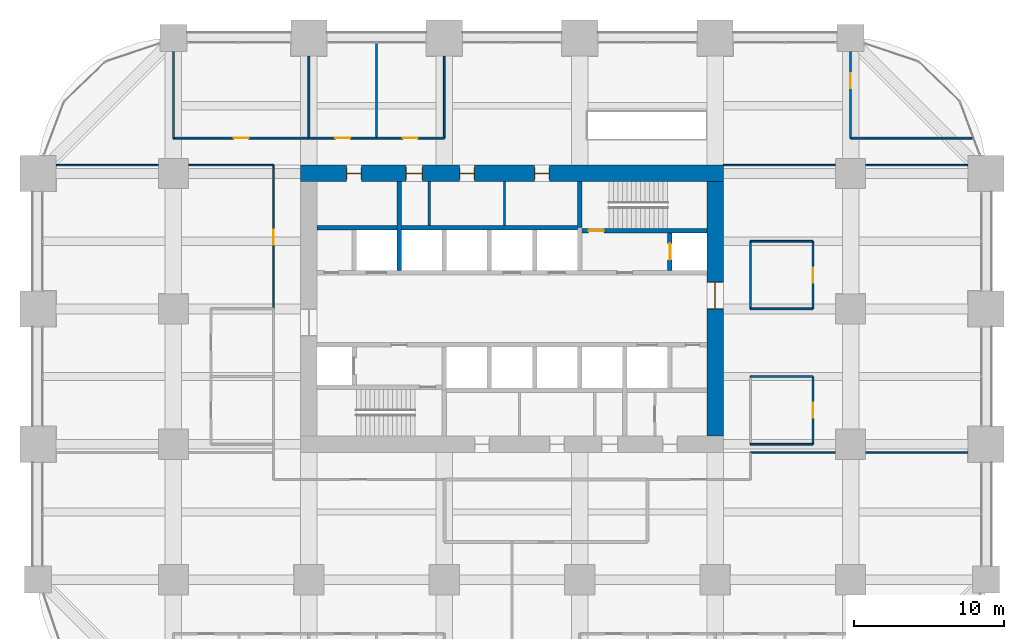
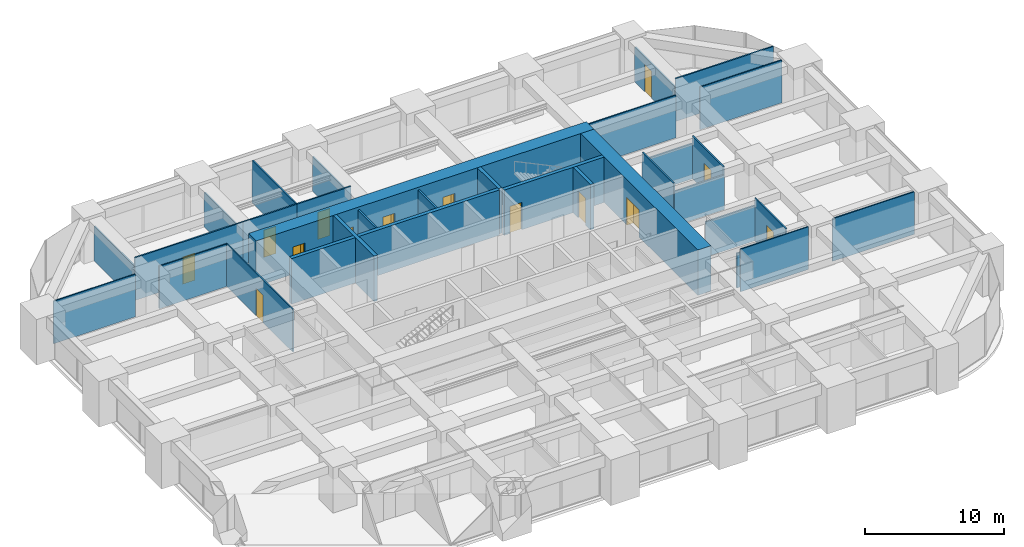
# One storey, part 38 of 41: 32 walls, 14 doors, 14 openings.
"""IFC4 building model written with IfcOpenShell, lengths in metres."""

import ifcopenshell
import ifcopenshell.guid

model = None  # the IFC model being written
_history = None  # IfcOwnerHistory: only IFC2X3 demands one
_inside = {}  # id of a spatial element -> (the spatial element, [elements in it])
_under = {}  # id of a project, library or spatial element -> (it, [spatial elements below it])
_declared = {}  # id of a project -> (the project, [libraries it declares])
_typed = {}  # id of a type object -> (the type object, [elements of that type])
_made_of = {}  # id of a material, layer set ... -> (it, [elements and type objects made of it])


def new_model(schema):
    """Start an empty IFC model of exactly this schema.

    Asked for "IFC4X3", IfcOpenShell would pick the latest addendum, in which some entities
    have other attributes; the version numbers below select the first issue.
    IFC2X3 requires an IfcOwnerHistory on every rooted entity: one is made here for all.
    """
    global model, _history
    if schema == "IFC4X3":
        model = ifcopenshell.file(schema_version=(4, 3, 0, 0))
    else:
        model = ifcopenshell.file(schema=schema)
    _inside.clear()
    _under.clear()
    _declared.clear()
    _typed.clear()
    _made_of.clear()
    _history = None
    if model.schema == "IFC2X3":
        org = make("IfcOrganization", Name="unknown")
        user = make(
            "IfcPersonAndOrganization",
            ThePerson=make("IfcPerson", FamilyName="unknown"),
            TheOrganization=org,
        )
        app = make(
            "IfcApplication",
            ApplicationDeveloper=org,
            Version="unknown",
            ApplicationFullName="unknown",
            ApplicationIdentifier="unknown",
        )
        _history = make(
            "IfcOwnerHistory",
            OwningUser=user,
            OwningApplication=app,
            ChangeAction="ADDED",
            CreationDate=0,
        )
    return model


def make(cls, **values):
    """One entity of the class cls with the attributes given. An attribute that is None is left unset."""
    return model.create_entity(
        cls, **{name: value for name, value in values.items() if value is not None}
    )


def rooted(cls, **values):
    """An entity with a GlobalId (a new one), such as an element, a storey or a relation."""
    return make(cls, GlobalId=ifcopenshell.guid.new(), OwnerHistory=_history, **values)


def si_unit(unit_type, name, prefix=None):
    """IfcSIUnit, for example si_unit("LENGTHUNIT", "METRE", prefix="MILLI")."""
    return make("IfcSIUnit", UnitType=unit_type, Prefix=prefix, Name=name)


def assignment(units):
    """IfcUnitAssignment: the units of a project."""
    return None if units is None else make("IfcUnitAssignment", Units=units)


def point(xyz):
    """IfcCartesianPoint."""
    return None if xyz is None else make("IfcCartesianPoint", Coordinates=xyz)


def direction(xyz):
    """IfcDirection."""
    return None if xyz is None else make("IfcDirection", DirectionRatios=xyz)


def frame(location, z_axis=None, x_axis=None):
    """IfcAxis2Placement3D, a coordinate frame: its origin and axes. An axis left out is left unset."""
    return make(
        "IfcAxis2Placement3D",
        Location=point(location),
        Axis=direction(z_axis),
        RefDirection=direction(x_axis),
    )


def frame_2d(location, x_axis=None):
    """IfcAxis2Placement2D, a coordinate frame in the plane: its origin and x axis."""
    return make(
        "IfcAxis2Placement2D", Location=point(location), RefDirection=direction(x_axis)
    )


def origin():
    """The frame at (0, 0, 0) with its axes left unset."""
    return frame((0.0, 0.0, 0.0))


def place(relative_to, where):
    """IfcLocalPlacement: puts the frame where relative to a parent placement (None: the world)."""
    return make(
        "IfcLocalPlacement", PlacementRelTo=relative_to, RelativePlacement=where
    )


def context(
    kind, dimensions, precision=None, world=None, true_north=None, identifier=None
):
    """IfcGeometricRepresentationContext, for example the 3D "Model" context."""
    return make(
        "IfcGeometricRepresentationContext",
        ContextIdentifier=identifier,
        ContextType=kind,
        CoordinateSpaceDimension=dimensions,
        Precision=precision,
        WorldCoordinateSystem=world,
        TrueNorth=true_north,
    )


def subcontext(parent, identifier, kind, view, scale=None):
    """IfcGeometricRepresentationSubContext, for example "Body" below "Model"."""
    return make(
        "IfcGeometricRepresentationSubContext",
        ContextIdentifier=identifier,
        ContextType=kind,
        ParentContext=parent,
        TargetScale=scale,
        TargetView=view,
    )


def project(units=None, contexts=None):
    """IfcProject with its units and contexts."""
    return rooted(
        "IfcProject",
        Name="project",
        RepresentationContexts=contexts,
        UnitsInContext=assignment(units),
    )


def spatial(cls, under=None, at=None, **own):
    """A site, building, storey or space (cls), placed at a placement, below another one or the project."""
    s = rooted(cls, ObjectPlacement=at, **own)
    if under is not None:
        _under.setdefault(under.id(), (under, []))[1].append(s)
    return s


def profile(cls, at=None, kind="AREA", **sizes):
    """A parametric profile (cls). Its sizes go by their IFC names, for example OverallWidth=200.0."""
    return make(cls, ProfileType=kind, Position=at, **sizes)


def rectangle(**sizes):
    """IfcRectangleProfileDef."""
    return profile("IfcRectangleProfileDef", **sizes)


def extrude(swept, where, along, depth):
    """IfcExtrudedAreaSolid: the profile swept, set in the frame where, extruded along a direction by depth."""
    return make(
        "IfcExtrudedAreaSolid",
        SweptArea=swept,
        Position=where,
        ExtrudedDirection=direction(along),
        Depth=depth,
    )


def shape(context_of_items, identifier, shape_type, items):
    """IfcShapeRepresentation: the items that make up one representation, for example the "Body"."""
    return make(
        "IfcShapeRepresentation",
        ContextOfItems=context_of_items,
        RepresentationIdentifier=identifier,
        RepresentationType=shape_type,
        Items=items,
    )


def material(Name=None, Category=None):
    """IfcMaterial."""
    return make("IfcMaterial", Name=Name, Category=Category)


def layer(
    of_material, thickness, ventilated=None, Name=None, Category=None, Priority=None
):
    """IfcMaterialLayer: one layer of a wall or slab, of a material (None: an air gap)."""
    return make(
        "IfcMaterialLayer",
        Material=of_material,
        LayerThickness=thickness,
        IsVentilated=ventilated,
        Name=Name,
        Category=Category,
        Priority=Priority,
    )


def layer_set(layers, Name=None):
    """IfcMaterialLayerSet."""
    return make("IfcMaterialLayerSet", MaterialLayers=layers, LayerSetName=Name)


def made_of(thing, what):
    """Note that an element or type object is made of a material, layer set ...; save() writes the relation."""
    if what is not None:
        _made_of.setdefault(what.id(), (what, []))[1].append(thing)
    return thing


def type_object(cls, material=None, **own):
    """A type object (cls), such as IfcWallType, which elements share."""
    return made_of(rooted(cls, **own), material)


def element(
    cls,
    number,
    at=None,
    inside=None,
    cuts=None,
    type_object=None,
    material=None,
    context=None,
    identifier="Body",
    shape_type=None,
    held_by="IfcProductDefinitionShape",
    body=None,
    shapes=None,
    **own,
):
    """One element of the class cls, such as IfcWall. Its Tag is "e" and its number.

    at: its placement. inside: the storey or other place that contains it. cuts: it is an
    opening in that element (IfcRelVoidsElement). A single representation is given by context,
    identifier, shape_type and body (its items); several are given by shapes. held_by: the class
    of the entity that holds the representations. save() writes the other relations.
    """
    e = rooted(cls, Tag="e%d" % number, ObjectPlacement=at, **own)
    if body is not None:
        shapes = [shape(context, identifier, shape_type, body)]
    if shapes is not None:
        e.Representation = make(held_by, Representations=shapes)
    if inside is not None:
        _inside.setdefault(inside.id(), (inside, []))[1].append(e)
    if cuts is not None:
        rooted(
            "IfcRelVoidsElement", RelatingBuildingElement=cuts, RelatedOpeningElement=e
        )
    if type_object is not None:
        _typed.setdefault(type_object.id(), (type_object, []))[1].append(e)
    return made_of(e, material)


def fill(opening, filler):
    """IfcRelFillsElement: the door or window that sits in an opening."""
    return rooted(
        "IfcRelFillsElement",
        RelatingOpeningElement=opening,
        RelatedBuildingElement=filler,
    )


def aggregate(whole, parts):
    """IfcRelAggregates: a whole, such as a stair, and the parts it consists of."""
    return rooted("IfcRelAggregates", RelatingObject=whole, RelatedObjects=parts)


def save(model, path):
    """Write the relations noted so far, then the file.

    IfcRelAggregates (storeys below a building ...), IfcRelContainedInSpatialStructure (elements
    in a storey), IfcRelDefinesByType, IfcRelAssociatesMaterial and IfcRelDeclares: one each for
    every whole, place, type object, material and project.
    """
    for whole, parts in _under.values():
        aggregate(whole, parts)
    for where, things in _inside.values():
        rooted(
            "IfcRelContainedInSpatialStructure",
            RelatedElements=things,
            RelatingStructure=where,
        )
    for kind, things in _typed.values():
        rooted("IfcRelDefinesByType", RelatedObjects=things, RelatingType=kind)
    for what, things in _made_of.values():
        rooted("IfcRelAssociatesMaterial", RelatedObjects=things, RelatingMaterial=what)
    for by, libraries in _declared.values():
        rooted("IfcRelDeclares", RelatingContext=by, RelatedDefinitions=libraries)
    model.write(path)


model = new_model("IFC4")

# Units and contexts
model_context = context("Model", 3, precision=1e-05, world=origin(), true_north=direction((0.0, 1.0)))
body_context = subcontext(model_context, "Body", "Model", "MODEL_VIEW")
ifc_project = project(units=[si_unit("LENGTHUNIT", "METRE"), si_unit("AREAUNIT", "SQUARE_METRE"), si_unit("VOLUMEUNIT", "CUBIC_METRE"), si_unit("PLANEANGLEUNIT", "RADIAN"), si_unit("MASSUNIT", "GRAM", prefix="KILO")], contexts=[model_context])

# Site, building, storey
site_placement = place(None, origin())
site = spatial("IfcSite", under=ifc_project, at=site_placement, CompositionType="ELEMENT")
building_placement = place(site_placement, origin())
building = spatial("IfcBuilding", under=site, at=building_placement, Name="Zorevar Civic Tower", CompositionType="ELEMENT")
storey_placement = place(building_placement, frame((0.0, 0.0, 101.0)))
storey = spatial("IfcBuildingStorey", under=building, at=storey_placement, Name="L24", CompositionType="ELEMENT", Elevation=101.0)

# Wall, openings, doors
ifc_material_1 = material(Name="Concrete C50/60", Category="concrete")
ifc_layer_1 = layer(ifc_material_1, 1.10009765625)
ifc_layer_set_1 = layer_set([ifc_layer_1], Name="Core wall 1100")
wall_type_1 = type_object("IfcWallType", Name="Core wall 1100", PredefinedType="SHEAR", material=ifc_layer_set_1)
wall_1_placement = place(storey_placement, frame((45.550048828125, 36.0, 0.0), z_axis=(0.0, 0.0, 1.0), x_axis=(-1.0, 0.0, 0.0)))
wall_1 = element("IfcWall", 1, at=wall_1_placement, inside=storey, type_object=wall_type_1, Name="Core wall N L24", PredefinedType="SHEAR", context=body_context, shape_type="SweptSolid", body=[
    extrude(rectangle(XDim=28.10009765625, YDim=1.10009765625, at=frame_2d((14.050048828125, 0.0))), origin(), (0.0, 0.0, 1.0), 4.0),
])
opening_1_placement = place(wall_1_placement, frame((11.550048828125, 0.0, 0.0)))
opening_1 = element("IfcOpeningElement", 2, at=opening_1_placement, cuts=wall_1, Name="Opening L24.07", PredefinedType="OPENING", context=body_context, shape_type="SweptSolid", body=[
    extrude(rectangle(XDim=1.0, YDim=2.39990234375, at=frame_2d((0.5, 1.199951171875))), frame((0.0, 0.56005859375, 0.0), z_axis=(0.0, -1.0, 0.0), x_axis=(1.0, 0.0, 0.0)), (0.0, 0.0, 1.0), 1.1201171875),
])
opening_2_placement = place(wall_1_placement, frame((16.550048828125, 0.0, 0.0)))
opening_2 = element("IfcOpeningElement", 3, at=opening_2_placement, cuts=wall_1, Name="Opening L24.08", PredefinedType="OPENING", context=body_context, shape_type="SweptSolid", body=[
    extrude(rectangle(XDim=1.0, YDim=2.39990234375, at=frame_2d((0.5, 1.199951171875))), frame((0.0, 0.56005859375, 0.0), z_axis=(0.0, -1.0, 0.0), x_axis=(1.0, 0.0, 0.0)), (0.0, 0.0, 1.0), 1.1201171875),
])
opening_3_placement = place(wall_1_placement, frame((20.0, 0.0, 0.0)))
opening_3 = element("IfcOpeningElement", 4, at=opening_3_placement, cuts=wall_1, Name="Opening L24.09", PredefinedType="OPENING", context=body_context, shape_type="SweptSolid", body=[
    extrude(rectangle(XDim=1.10009765625, YDim=2.39990234375, at=frame_2d((0.550048828125, 1.199951171875))), frame((0.0, 0.56005859375, 0.0), z_axis=(0.0, -1.0, 0.0), x_axis=(1.0, 0.0, 0.0)), (0.0, 0.0, 1.0), 1.1201171875),
])
opening_4_placement = place(wall_1_placement, frame((24.050048828125, 0.0, 0.0)))
opening_4 = element("IfcOpeningElement", 5, at=opening_4_placement, cuts=wall_1, Name="Opening L24.10", PredefinedType="OPENING", context=body_context, shape_type="SweptSolid", body=[
    extrude(rectangle(XDim=1.0, YDim=2.39990234375, at=frame_2d((0.5, 1.199951171875))), frame((0.0, 0.56005859375, 0.0), z_axis=(0.0, -1.0, 0.0), x_axis=(1.0, 0.0, 0.0)), (0.0, 0.0, 1.0), 1.1201171875),
])
ifc_material_2 = material(Name="Timber door set", Category="wood")
door_type_1 = type_object("IfcDoorType", Name="Door D1 1000x2400", OperationType="SINGLE_SWING_LEFT", PredefinedType="DOOR", material=ifc_material_2)
door_1_placement = place(opening_1_placement, origin())
door_1 = element("IfcDoor", 6, at=door_1_placement, inside=storey, type_object=door_type_1, Name="Door L24 06", OperationType="SINGLE_SWING_LEFT", OverallHeight=2.39990234375, OverallWidth=1.0, PredefinedType="DOOR", context=body_context, shape_type="SweptSolid", body=[
    extrude(rectangle(XDim=1.0, YDim=2.39990234375, at=frame_2d((0.5, 1.199951171875))), frame((0.0, 0.02490234375, 0.0), z_axis=(0.0, -1.0, 0.0), x_axis=(1.0, 0.0, 0.0)), (0.0, 0.0, 1.0), 0.050048828125),
    extrude(rectangle(XDim=0.04, YDim=2.39990234375, at=frame_2d((0.02001953125, 1.199951171875))), frame((0.0, 0.39990234375, 0.0), z_axis=(0.0, -1.0, 0.0), x_axis=(1.0, 0.0, 0.0)), (0.0, 0.0, 1.0), 0.800048828125),
    extrude(rectangle(XDim=0.04, YDim=2.39990234375, at=frame_2d((0.97998046875, 1.199951171875))), frame((0.0, 0.39990234375, 0.0), z_axis=(0.0, -1.0, 0.0), x_axis=(1.0, 0.0, 0.0)), (0.0, 0.0, 1.0), 0.800048828125),
    extrude(rectangle(XDim=1.0, YDim=0.04, at=frame_2d((0.5, 2.3798828125))), frame((0.0, 0.39990234375, 0.0), z_axis=(0.0, -1.0, 0.0), x_axis=(1.0, 0.0, 0.0)), (0.0, 0.0, 1.0), 0.800048828125),
])
fill(opening_1, door_1)
door_2_placement = place(opening_2_placement, origin())
door_2 = element("IfcDoor", 7, at=door_2_placement, inside=storey, type_object=door_type_1, Name="Door L24 07", OperationType="SINGLE_SWING_RIGHT", OverallHeight=2.39990234375, OverallWidth=1.0, PredefinedType="DOOR", context=body_context, shape_type="SweptSolid", body=[
    extrude(rectangle(XDim=1.0, YDim=2.39990234375, at=frame_2d((0.5, 1.199951171875))), frame((0.0, 0.02490234375, 0.0), z_axis=(0.0, -1.0, 0.0), x_axis=(1.0, 0.0, 0.0)), (0.0, 0.0, 1.0), 0.050048828125),
    extrude(rectangle(XDim=0.04, YDim=2.39990234375, at=frame_2d((0.02001953125, 1.199951171875))), frame((0.0, 0.39990234375, 0.0), z_axis=(0.0, -1.0, 0.0), x_axis=(1.0, 0.0, 0.0)), (0.0, 0.0, 1.0), 0.800048828125),
    extrude(rectangle(XDim=0.04, YDim=2.39990234375, at=frame_2d((0.97998046875, 1.199951171875))), frame((0.0, 0.39990234375, 0.0), z_axis=(0.0, -1.0, 0.0), x_axis=(1.0, 0.0, 0.0)), (0.0, 0.0, 1.0), 0.800048828125),
    extrude(rectangle(XDim=1.0, YDim=0.04, at=frame_2d((0.5, 2.3798828125))), frame((0.0, 0.39990234375, 0.0), z_axis=(0.0, -1.0, 0.0), x_axis=(1.0, 0.0, 0.0)), (0.0, 0.0, 1.0), 0.800048828125),
])
fill(opening_2, door_2)
door_3_placement = place(opening_4_placement, origin())
door_3 = element("IfcDoor", 8, at=door_3_placement, inside=storey, type_object=door_type_1, Name="Door L24 09", OperationType="SINGLE_SWING_RIGHT", OverallHeight=2.39990234375, OverallWidth=1.0, PredefinedType="DOOR", context=body_context, shape_type="SweptSolid", body=[
    extrude(rectangle(XDim=1.0, YDim=2.39990234375, at=frame_2d((0.5, 1.199951171875))), frame((0.0, 0.02490234375, 0.0), z_axis=(0.0, -1.0, 0.0), x_axis=(1.0, 0.0, 0.0)), (0.0, 0.0, 1.0), 0.050048828125),
    extrude(rectangle(XDim=0.04, YDim=2.39990234375, at=frame_2d((0.02001953125, 1.199951171875))), frame((0.0, 0.39990234375, 0.0), z_axis=(0.0, -1.0, 0.0), x_axis=(1.0, 0.0, 0.0)), (0.0, 0.0, 1.0), 0.800048828125),
    extrude(rectangle(XDim=0.04, YDim=2.39990234375, at=frame_2d((0.97998046875, 1.199951171875))), frame((0.0, 0.39990234375, 0.0), z_axis=(0.0, -1.0, 0.0), x_axis=(1.0, 0.0, 0.0)), (0.0, 0.0, 1.0), 0.800048828125),
    extrude(rectangle(XDim=1.0, YDim=0.04, at=frame_2d((0.5, 2.3798828125))), frame((0.0, 0.39990234375, 0.0), z_axis=(0.0, -1.0, 0.0), x_axis=(1.0, 0.0, 0.0)), (0.0, 0.0, 1.0), 0.800048828125),
])
fill(opening_4, door_3)
ifc_material_3 = material(Name="Timber door set", Category="wood")
door_type_2 = type_object("IfcDoorType", Name="Door D5 1100x2400", OperationType="SINGLE_SWING_LEFT", PredefinedType="DOOR", material=ifc_material_3)
door_4_placement = place(opening_3_placement, origin())
door_4 = element("IfcDoor", 9, at=door_4_placement, inside=storey, type_object=door_type_2, Name="Door L24 08", OperationType="SINGLE_SWING_RIGHT", OverallHeight=2.39990234375, OverallWidth=1.10009765625, PredefinedType="DOOR", context=body_context, shape_type="SweptSolid", body=[
    extrude(rectangle(XDim=1.10009765625, YDim=2.39990234375, at=frame_2d((0.550048828125, 1.199951171875))), frame((0.0, 0.02490234375, 0.0), z_axis=(0.0, -1.0, 0.0), x_axis=(1.0, 0.0, 0.0)), (0.0, 0.0, 1.0), 0.050048828125),
    extrude(rectangle(XDim=0.04, YDim=2.39990234375, at=frame_2d((0.02001953125, 1.199951171875))), frame((0.0, 0.43994140625, 0.0), z_axis=(0.0, -1.0, 0.0), x_axis=(1.0, 0.0, 0.0)), (0.0, 0.0, 1.0), 0.880126953125),
    extrude(rectangle(XDim=0.04, YDim=2.39990234375, at=frame_2d((1.080078125, 1.199951171875))), frame((0.0, 0.43994140625, 0.0), z_axis=(0.0, -1.0, 0.0), x_axis=(1.0, 0.0, 0.0)), (0.0, 0.0, 1.0), 0.880126953125),
    extrude(rectangle(XDim=1.10009765625, YDim=0.04, at=frame_2d((0.550048828125, 2.3798828125))), frame((0.0, 0.43994140625, 0.0), z_axis=(0.0, -1.0, 0.0), x_axis=(1.0, 0.0, 0.0)), (0.0, 0.0, 1.0), 0.880126953125),
])
fill(opening_3, door_4)

# Wall, opening, door
wall_2_placement = place(storey_placement, frame((45.0, 18.550048828125, 0.0), z_axis=(0.0, 0.0, 1.0), x_axis=(0.0, 1.0, 0.0)))
wall_2 = element("IfcWall", 10, at=wall_2_placement, inside=storey, type_object=wall_type_1, Name="Core wall E L24", PredefinedType="SHEAR", context=body_context, shape_type="SweptSolid", body=[
    extrude(rectangle(XDim=16.89990234375, YDim=1.10009765625, at=frame_2d((8.449951171875, 0.0))), origin(), (0.0, 0.0, 1.0), 4.0),
])
opening_5_placement = place(wall_2_placement, frame((8.449951171875, 0.0, 0.0)))
opening_5 = element("IfcOpeningElement", 11, at=opening_5_placement, cuts=wall_2, Name="Opening L24.02", PredefinedType="OPENING", context=body_context, shape_type="SweptSolid", body=[
    extrude(rectangle(XDim=1.800048828125, YDim=2.39990234375, at=frame_2d((0.89990234375, 1.199951171875))), frame((0.0, 0.56005859375, 0.0), z_axis=(0.0, -1.0, 0.0), x_axis=(1.0, 0.0, 0.0)), (0.0, 0.0, 1.0), 1.1201171875),
])
ifc_material_4 = material(Name="Steel door set", Category="steel")
door_type_3 = type_object("IfcDoorType", Name="Fire door FD2 1800x2400", OperationType="DOUBLE_DOOR_DOUBLE_SWING", PredefinedType="DOOR", material=ifc_material_4)
door_5_placement = place(opening_5_placement, origin())
door_5 = element("IfcDoor", 12, at=door_5_placement, inside=storey, type_object=door_type_3, Name="Door L24 01", OperationType="DOUBLE_DOOR_DOUBLE_SWING", OverallHeight=2.39990234375, OverallWidth=1.800048828125, PredefinedType="DOOR", context=body_context, shape_type="SweptSolid", body=[
    extrude(rectangle(XDim=1.800048828125, YDim=2.39990234375, at=frame_2d((0.89990234375, 1.199951171875))), frame((0.0, 0.030029296875, 0.0), z_axis=(0.0, -1.0, 0.0), x_axis=(1.0, 0.0, 0.0)), (0.0, 0.0, 1.0), 0.06005859375),
    extrude(rectangle(XDim=0.04, YDim=2.39990234375, at=frame_2d((0.02001953125, 1.199951171875))), frame((0.0, 0.5498046875, 0.0), z_axis=(0.0, -1.0, 0.0), x_axis=(1.0, 0.0, 0.0)), (0.0, 0.0, 1.0), 1.099609375),
    extrude(rectangle(XDim=0.04, YDim=2.39990234375, at=frame_2d((1.780029296875, 1.199951171875))), frame((0.0, 0.5498046875, 0.0), z_axis=(0.0, -1.0, 0.0), x_axis=(1.0, 0.0, 0.0)), (0.0, 0.0, 1.0), 1.099609375),
    extrude(rectangle(XDim=1.800048828125, YDim=0.04, at=frame_2d((0.89990234375, 2.3798828125))), frame((0.0, 0.5498046875, 0.0), z_axis=(0.0, -1.0, 0.0), x_axis=(1.0, 0.0, 0.0)), (0.0, 0.0, 1.0), 1.099609375),
])
fill(opening_5, door_5)

# Walls
ifc_material_5 = material(Name="Laminated glass in black aluminium frame", Category="aluminium")
ifc_layer_2 = layer(ifc_material_5, 0.10009765625)
ifc_layer_set_2 = layer_set([ifc_layer_2], Name="Glazed partition 100")
wall_type_2 = type_object("IfcWallType", Name="Glazed partition 100", PredefinedType="PARTITIONING", material=ifc_layer_set_2)
wall_3_placement = place(storey_placement, frame((47.35009765625, 17.449951171875, 0.0), z_axis=(0.0, 0.0, 1.0), x_axis=(1.0, 0.0, 0.0)))
element("IfcWall", 13, at=wall_3_placement, inside=storey, type_object=wall_type_2, Name="Glazed partition 100 L24", PredefinedType="PARTITIONING", context=body_context, shape_type="SweptSolid", body=[
    extrude(rectangle(XDim=5.64990234375, YDim=0.10009765625, at=frame_2d((2.824951171875, 0.0))), origin(), (0.0, 0.0, 1.0), 3.75),
])
for number, where, z_axis, x_axis, name in (
    (14, (55.0, 17.449951171875, 0.0), (0.0, 0.0, 1.0), (1.0, 0.0, 0.0), "Glazed partition 100 L24"),
    (15, (1.199951171875, 36.550048828125, 0.0), (0.0, 0.0, 1.0), (1.0, 0.0, 0.0), "Glazed partition 100 L24"),
):
    element("IfcWall", number, at=place(storey_placement, frame(where, z_axis=z_axis, x_axis=x_axis)), inside=storey, type_object=wall_type_2, Name=name, PredefinedType="PARTITIONING", context=body_context, shape_type="SweptSolid", body=[
        extrude(rectangle(XDim=6.800048828125, YDim=0.10009765625, at=frame_2d((3.39990234375, 0.0))), origin(), (0.0, 0.0, 1.0), 3.75),
    ])
wall_4_placement = place(storey_placement, frame((10.0, 36.550048828125, 0.0), z_axis=(0.0, 0.0, 1.0), x_axis=(1.0, 0.0, 0.0)))
element("IfcWall", 16, at=wall_4_placement, inside=storey, type_object=wall_type_2, Name="Glazed partition 100 L24", PredefinedType="PARTITIONING", context=body_context, shape_type="SweptSolid", body=[
    extrude(rectangle(XDim=5.64990234375, YDim=0.10009765625, at=frame_2d((2.824951171875, 0.0))), origin(), (0.0, 0.0, 1.0), 3.75),
])
wall_5_placement = place(storey_placement, frame((45.550048828125, 36.550048828125, 0.0), z_axis=(0.0, 0.0, 1.0), x_axis=(1.0, 0.0, 0.0)))
element("IfcWall", 17, at=wall_5_placement, inside=storey, type_object=wall_type_2, Name="Glazed partition 100 L24", PredefinedType="PARTITIONING", context=body_context, shape_type="SweptSolid", body=[
    extrude(rectangle(XDim=7.449951171875, YDim=0.10009765625, at=frame_2d((3.72509765625, 0.0))), origin(), (0.0, 0.0, 1.0), 3.75),
])
wall_6_placement = place(storey_placement, frame((55.0, 36.550048828125, 0.0), z_axis=(0.0, 0.0, 1.0), x_axis=(1.0, 0.0, 0.0)))
element("IfcWall", 18, at=wall_6_placement, inside=storey, type_object=wall_type_2, Name="Glazed partition 100 L24", PredefinedType="PARTITIONING", context=body_context, shape_type="SweptSolid", body=[
    extrude(rectangle(XDim=6.800048828125, YDim=0.10009765625, at=frame_2d((3.39990234375, 0.0))), origin(), (0.0, 0.0, 1.0), 3.75),
])

# Wall, opening, door
wall_7_placement = place(storey_placement, frame((15.64990234375, 27.0, 0.0), z_axis=(0.0, 0.0, 1.0), x_axis=(0.0, 1.0, 0.0)))
wall_7 = element("IfcWall", 19, at=wall_7_placement, inside=storey, type_object=wall_type_2, Name="Glazed partition 100 L24", PredefinedType="PARTITIONING", context=body_context, shape_type="SweptSolid", body=[
    extrude(rectangle(XDim=9.550048828125, YDim=0.10009765625, at=frame_2d((4.77490234375, 0.0))), origin(), (0.0, 0.0, 1.0), 3.75),
])
opening_6_placement = place(wall_7_placement, frame((4.27490234375, 0.0, 0.0)))
opening_6 = element("IfcOpeningElement", 20, at=opening_6_placement, cuts=wall_7, Name="Opening L24.33", PredefinedType="OPENING", context=body_context, shape_type="SweptSolid", body=[
    extrude(rectangle(XDim=1.0, YDim=2.39990234375, at=frame_2d((0.5, 1.199951171875))), frame((0.0, 0.06005859375, 0.0), z_axis=(0.0, -1.0, 0.0), x_axis=(1.0, 0.0, 0.0)), (0.0, 0.0, 1.0), 0.1201171875),
])
ifc_material_6 = material(Name="Timber door set", Category="wood")
door_type_4 = type_object("IfcDoorType", Name="Glazed door GD1 1000x2400", OperationType="SINGLE_SWING_LEFT", PredefinedType="DOOR", material=ifc_material_6)
door_6_placement = place(opening_6_placement, origin())
door_6 = element("IfcDoor", 21, at=door_6_placement, inside=storey, type_object=door_type_4, Name="Door L24 D1", OperationType="SINGLE_SWING_RIGHT", OverallHeight=2.39990234375, OverallWidth=1.0, PredefinedType="DOOR", context=body_context, shape_type="SweptSolid", body=[
    extrude(rectangle(XDim=1.0, YDim=2.39990234375, at=frame_2d((0.5, 1.199951171875))), frame((0.0, 0.02001953125, 0.0), z_axis=(0.0, -1.0, 0.0), x_axis=(1.0, 0.0, 0.0)), (0.0, 0.0, 1.0), 0.0400390625),
])
fill(opening_6, door_6)

ifc_material_7 = material(Name="Concrete C40/50", Category="concrete")
ifc_layer_3 = layer(ifc_material_7, 0.300048828125)
ifc_layer_set_3 = layer_set([ifc_layer_3], Name="Inner core wall 300")
wall_type_3 = type_object("IfcWallType", Name="Inner core wall 300", PredefinedType="SHEAR", material=ifc_layer_set_3)
wall_8_placement = place(storey_placement, frame((36.14990234375, 32.199951171875, 0.0), z_axis=(0.0, 0.0, 1.0), x_axis=(1.0, 0.0, 0.0)))
wall_8 = element("IfcWall", 22, at=wall_8_placement, inside=storey, type_object=wall_type_3, Name="Inner core wall N00 L24", PredefinedType="SHEAR", context=body_context, shape_type="SweptSolid", body=[
    extrude(rectangle(XDim=8.300048828125, YDim=0.300048828125, at=frame_2d((4.14990234375, 0.0))), origin(), (0.0, 0.0, 1.0), 4.0),
])
opening_7_placement = place(wall_8_placement, frame((0.449951171875, 0.0, 0.0)))
opening_7 = element("IfcOpeningElement", 23, at=opening_7_placement, cuts=wall_8, Name="Opening L24.12", PredefinedType="OPENING", context=body_context, shape_type="SweptSolid", body=[
    extrude(rectangle(XDim=1.0, YDim=2.39990234375, at=frame_2d((0.5, 1.199951171875))), frame((0.0, 0.159912109375, 0.0), z_axis=(0.0, -1.0, 0.0), x_axis=(1.0, 0.0, 0.0)), (0.0, 0.0, 1.0), 0.320068359375),
])
ifc_material_8 = material(Name="Steel door set", Category="steel")
door_type_5 = type_object("IfcDoorType", Name="Fire door FD1 1000x2400", OperationType="SINGLE_SWING_LEFT", PredefinedType="DOOR", material=ifc_material_8)
door_7_placement = place(opening_7_placement, origin())
door_7 = element("IfcDoor", 24, at=door_7_placement, inside=storey, type_object=door_type_5, Name="Door L24 11", OperationType="SINGLE_SWING_RIGHT", OverallHeight=2.39990234375, OverallWidth=1.0, PredefinedType="DOOR", context=body_context, shape_type="SweptSolid", body=[
    extrude(rectangle(XDim=1.0, YDim=2.39990234375, at=frame_2d((0.5, 1.199951171875))), frame((0.0, 0.030029296875, 0.0), z_axis=(0.0, -1.0, 0.0), x_axis=(1.0, 0.0, 0.0)), (0.0, 0.0, 1.0), 0.06005859375),
])
fill(opening_7, door_7)

# Wall
wall_9_placement = place(storey_placement, frame((36.0, 32.39990234375, 0.0), z_axis=(0.0, 0.0, 1.0), x_axis=(0.0, 1.0, 0.0)))
element("IfcWall", 25, at=wall_9_placement, inside=storey, type_object=wall_type_3, Name="Inner core wall N01 L24", PredefinedType="SHEAR", context=body_context, shape_type="SweptSolid", body=[
    extrude(rectangle(XDim=3.050048828125, YDim=0.300048828125, at=frame_2d((1.52490234375, 0.0))), origin(), (0.0, 0.0, 1.0), 4.0),
])

# Wall, opening, door
wall_10_placement = place(storey_placement, frame((42.0, 29.550048828125, 0.0), z_axis=(0.0, 0.0, 1.0), x_axis=(0.0, 1.0, 0.0)))
wall_10 = element("IfcWall", 26, at=wall_10_placement, inside=storey, type_object=wall_type_3, Name="Inner core wall N02 L24", PredefinedType="SHEAR", context=body_context, shape_type="SweptSolid", body=[
    extrude(rectangle(XDim=2.5, YDim=0.300048828125, at=frame_2d((1.25, 0.0))), origin(), (0.0, 0.0, 1.0), 4.0),
])
opening_8_placement = place(wall_10_placement, frame((0.699951171875, 0.0, 0.0)))
opening_8 = element("IfcOpeningElement", 27, at=opening_8_placement, cuts=wall_10, Name="Opening L24.FL2", PredefinedType="OPENING", context=body_context, shape_type="SweptSolid", body=[
    extrude(rectangle(XDim=1.10009765625, YDim=2.39990234375, at=frame_2d((0.550048828125, 1.199951171875))), frame((0.0, 0.159912109375, 0.0), z_axis=(0.0, -1.0, 0.0), x_axis=(1.0, 0.0, 0.0)), (0.0, 0.0, 1.0), 0.320068359375),
])
ifc_material_9 = material(Name="Steel door set", Category="steel")
door_type_6 = type_object("IfcDoorType", Name="Firefighting lift landing door LD3 1100x2400", OperationType="DOUBLE_DOOR_SLIDING", PredefinedType="DOOR", material=ifc_material_9)
door_8_placement = place(opening_8_placement, origin())
door_8 = element("IfcDoor", 28, at=door_8_placement, inside=storey, type_object=door_type_6, Name="Landing door FL2 L24", OperationType="DOUBLE_DOOR_SLIDING", OverallHeight=2.39990234375, OverallWidth=1.10009765625, PredefinedType="DOOR", context=body_context, shape_type="SweptSolid", body=[
    extrude(rectangle(XDim=1.10009765625, YDim=2.39990234375, at=frame_2d((0.550048828125, 1.199951171875))), frame((0.0, 0.030029296875, 0.0), z_axis=(0.0, -1.0, 0.0), x_axis=(1.0, 0.0, 0.0)), (0.0, 0.0, 1.0), 0.06005859375),
])
fill(opening_8, door_8)

# Walls
wall_11_placement = place(storey_placement, frame((18.550048828125, 32.39990234375, 0.0), z_axis=(0.0, 0.0, 1.0), x_axis=(1.0, 0.0, 0.0)))
element("IfcWall", 29, at=wall_11_placement, inside=storey, type_object=wall_type_3, Name="Inner core wall N04 L24", PredefinedType="SHEAR", context=body_context, shape_type="SweptSolid", body=[
    extrude(rectangle(XDim=17.300048828125, YDim=0.300048828125, at=frame_2d((8.64990234375, 0.0))), origin(), (0.0, 0.0, 1.0), 4.0),
])
wall_12_placement = place(storey_placement, frame((24.0, 29.550048828125, 0.0), z_axis=(0.0, 0.0, 1.0), x_axis=(0.0, 1.0, 0.0)))
element("IfcWall", 30, at=wall_12_placement, inside=storey, type_object=wall_type_3, Name="Inner core wall N08 L24", PredefinedType="SHEAR", context=body_context, shape_type="SweptSolid", body=[
    extrude(rectangle(XDim=5.89990234375, YDim=0.300048828125, at=frame_2d((2.949951171875, 0.0))), origin(), (0.0, 0.0, 1.0), 4.0),
])
ifc_material_10 = material(Name="Gypsum board on steel studs", Category="steel")
ifc_layer_4 = layer(ifc_material_10, 0.1201171875)
ifc_layer_set_4 = layer_set([ifc_layer_4], Name="Partition 120")
wall_type_4 = type_object("IfcWallType", Name="Partition 120", PredefinedType="PARTITIONING", material=ifc_layer_set_4)
wall_13_placement = place(storey_placement, frame((47.35009765625, 18.0, 0.0), z_axis=(0.0, 0.0, 1.0), x_axis=(1.0, 0.0, 0.0)))
element("IfcWall", 31, at=wall_13_placement, inside=storey, type_object=wall_type_4, Name="Partition 120 L24", PredefinedType="PARTITIONING", context=body_context, shape_type="SweptSolid", body=[
    extrude(rectangle(XDim=4.14990234375, YDim=0.1201171875, at=frame_2d((2.074951171875, 0.0))), origin(), (0.0, 0.0, 1.0), 3.050048828125),
])
wall_14_placement = place(storey_placement, frame((47.35009765625, 22.5, 0.0), z_axis=(0.0, 0.0, 1.0), x_axis=(1.0, 0.0, 0.0)))
element("IfcWall", 32, at=wall_14_placement, inside=storey, type_object=wall_type_4, Name="Partition 120 L24", PredefinedType="PARTITIONING", context=body_context, shape_type="SweptSolid", body=[
    extrude(rectangle(XDim=4.14990234375, YDim=0.1201171875, at=frame_2d((2.074951171875, 0.0))), origin(), (0.0, 0.0, 1.0), 3.10009765625),
])
wall_15_placement = place(storey_placement, frame((47.35009765625, 27.0, 0.0), z_axis=(0.0, 0.0, 1.0), x_axis=(1.0, 0.0, 0.0)))
element("IfcWall", 33, at=wall_15_placement, inside=storey, type_object=wall_type_4, Name="Partition 120 L24", PredefinedType="PARTITIONING", context=body_context, shape_type="SweptSolid", body=[
    extrude(rectangle(XDim=4.14990234375, YDim=0.1201171875, at=frame_2d((2.074951171875, 0.0))), origin(), (0.0, 0.0, 1.0), 3.050048828125),
])
wall_16_placement = place(storey_placement, frame((47.35009765625, 31.5, 0.0), z_axis=(0.0, 0.0, 1.0), x_axis=(1.0, 0.0, 0.0)))
element("IfcWall", 34, at=wall_16_placement, inside=storey, type_object=wall_type_4, Name="Partition 120 L24", PredefinedType="PARTITIONING", context=body_context, shape_type="SweptSolid", body=[
    extrude(rectangle(XDim=4.14990234375, YDim=0.1201171875, at=frame_2d((2.074951171875, 0.0))), origin(), (0.0, 0.0, 1.0), 3.10009765625),
])

# Wall, opening, door
wall_17_placement = place(storey_placement, frame((9.0, 38.35009765625, 0.0), z_axis=(0.0, 0.0, 1.0), x_axis=(1.0, 0.0, 0.0)))
wall_17 = element("IfcWall", 35, at=wall_17_placement, inside=storey, type_object=wall_type_4, Name="Partition 120 L24", PredefinedType="PARTITIONING", context=body_context, shape_type="SweptSolid", body=[
    extrude(rectangle(XDim=9.0, YDim=0.1201171875, at=frame_2d((4.5, 0.0))), origin(), (0.0, 0.0, 1.0), 3.75),
])
opening_9_placement = place(wall_17_placement, frame((4.0, 0.0, 0.0)))
opening_9 = element("IfcOpeningElement", 36, at=opening_9_placement, cuts=wall_17, Name="Opening L24.28", PredefinedType="OPENING", context=body_context, shape_type="SweptSolid", body=[
    extrude(rectangle(XDim=1.0, YDim=2.39990234375, at=frame_2d((0.5, 1.199951171875))), frame((0.0, 0.070068359375, 0.0), z_axis=(0.0, -1.0, 0.0), x_axis=(1.0, 0.0, 0.0)), (0.0, 0.0, 1.0), 0.14013671875),
])
door_9_placement = place(opening_9_placement, origin())
door_9 = element("IfcDoor", 37, at=door_9_placement, inside=storey, type_object=door_type_1, Name="Door L24 D1", OperationType="SINGLE_SWING_LEFT", OverallHeight=2.39990234375, OverallWidth=1.0, PredefinedType="DOOR", context=body_context, shape_type="SweptSolid", body=[
    extrude(rectangle(XDim=1.0, YDim=2.39990234375, at=frame_2d((0.5, 1.199951171875))), frame((0.0, 0.02490234375, 0.0), z_axis=(0.0, -1.0, 0.0), x_axis=(1.0, 0.0, 0.0)), (0.0, 0.0, 1.0), 0.050048828125),
])
fill(opening_9, door_9)

wall_18_placement = place(storey_placement, frame((18.0, 38.35009765625, 0.0), z_axis=(0.0, 0.0, 1.0), x_axis=(1.0, 0.0, 0.0)))
wall_18 = element("IfcWall", 38, at=wall_18_placement, inside=storey, type_object=wall_type_4, Name="Partition 120 L24", PredefinedType="PARTITIONING", context=body_context, shape_type="SweptSolid", body=[
    extrude(rectangle(XDim=4.5, YDim=0.1201171875, at=frame_2d((2.25, 0.0))), origin(), (0.0, 0.0, 1.0), 3.75),
])
opening_10_placement = place(wall_18_placement, frame((1.75, 0.0, 0.0)))
opening_10 = element("IfcOpeningElement", 39, at=opening_10_placement, cuts=wall_18, Name="Opening L24.29", PredefinedType="OPENING", context=body_context, shape_type="SweptSolid", body=[
    extrude(rectangle(XDim=1.0, YDim=2.39990234375, at=frame_2d((0.5, 1.199951171875))), frame((0.0, 0.070068359375, 0.0), z_axis=(0.0, -1.0, 0.0), x_axis=(1.0, 0.0, 0.0)), (0.0, 0.0, 1.0), 0.14013671875),
])
door_10_placement = place(opening_10_placement, origin())
door_10 = element("IfcDoor", 40, at=door_10_placement, inside=storey, type_object=door_type_1, Name="Door L24 D1", OperationType="SINGLE_SWING_LEFT", OverallHeight=2.39990234375, OverallWidth=1.0, PredefinedType="DOOR", context=body_context, shape_type="SweptSolid", body=[
    extrude(rectangle(XDim=1.0, YDim=2.39990234375, at=frame_2d((0.5, 1.199951171875))), frame((0.0, 0.02490234375, 0.0), z_axis=(0.0, -1.0, 0.0), x_axis=(1.0, 0.0, 0.0)), (0.0, 0.0, 1.0), 0.050048828125),
])
fill(opening_10, door_10)

wall_19_placement = place(storey_placement, frame((22.5, 38.35009765625, 0.0), z_axis=(0.0, 0.0, 1.0), x_axis=(1.0, 0.0, 0.0)))
wall_19 = element("IfcWall", 41, at=wall_19_placement, inside=storey, type_object=wall_type_4, Name="Partition 120 L24", PredefinedType="PARTITIONING", context=body_context, shape_type="SweptSolid", body=[
    extrude(rectangle(XDim=4.5, YDim=0.1201171875, at=frame_2d((2.25, 0.0))), origin(), (0.0, 0.0, 1.0), 3.75),
])
opening_11_placement = place(wall_19_placement, frame((1.75, 0.0, 0.0)))
opening_11 = element("IfcOpeningElement", 42, at=opening_11_placement, cuts=wall_19, Name="Opening L24.30", PredefinedType="OPENING", context=body_context, shape_type="SweptSolid", body=[
    extrude(rectangle(XDim=1.0, YDim=2.39990234375, at=frame_2d((0.5, 1.199951171875))), frame((0.0, 0.070068359375, 0.0), z_axis=(0.0, -1.0, 0.0), x_axis=(1.0, 0.0, 0.0)), (0.0, 0.0, 1.0), 0.14013671875),
])
door_11_placement = place(opening_11_placement, origin())
door_11 = element("IfcDoor", 43, at=door_11_placement, inside=storey, type_object=door_type_1, Name="Door L24 D1", OperationType="SINGLE_SWING_LEFT", OverallHeight=2.39990234375, OverallWidth=1.0, PredefinedType="DOOR", context=body_context, shape_type="SweptSolid", body=[
    extrude(rectangle(XDim=1.0, YDim=2.39990234375, at=frame_2d((0.5, 1.199951171875))), frame((0.0, 0.02490234375, 0.0), z_axis=(0.0, -1.0, 0.0), x_axis=(1.0, 0.0, 0.0)), (0.0, 0.0, 1.0), 0.050048828125),
])
fill(opening_11, door_11)

# Walls
wall_20_placement = place(storey_placement, frame((54.0, 38.35009765625, 0.0), z_axis=(0.0, 0.0, 1.0), x_axis=(1.0, 0.0, 0.0)))
element("IfcWall", 44, at=wall_20_placement, inside=storey, type_object=wall_type_4, Name="Partition 120 L24", PredefinedType="PARTITIONING", context=body_context, shape_type="SweptSolid", body=[
    extrude(rectangle(XDim=8.14453125, YDim=0.1201171875, at=frame_2d((4.072265625, 0.0))), origin(), (0.0, 0.0, 1.0), 3.75),
])
wall_21_placement = place(storey_placement, frame((9.0, 38.35009765625, 0.0), z_axis=(0.0, 0.0, 1.0), x_axis=(0.0, 1.0, 0.0)))
element("IfcWall", 45, at=wall_21_placement, inside=storey, type_object=wall_type_4, Name="Partition 120 L24", PredefinedType="PARTITIONING", context=body_context, shape_type="SweptSolid", body=[
    extrude(rectangle(XDim=5.75, YDim=0.1201171875, at=frame_2d((2.875, 0.0))), origin(), (0.0, 0.0, 1.0), 3.050048828125),
])
wall_22_placement = place(storey_placement, frame((18.0, 38.35009765625, 0.0), z_axis=(0.0, 0.0, 1.0), x_axis=(0.0, 1.0, 0.0)))
element("IfcWall", 46, at=wall_22_placement, inside=storey, type_object=wall_type_4, Name="Partition 120 L24", PredefinedType="PARTITIONING", context=body_context, shape_type="SweptSolid", body=[
    extrude(rectangle(XDim=5.449951171875, YDim=0.1201171875, at=frame_2d((2.72509765625, 0.0))), origin(), (0.0, 0.0, 1.0), 3.050048828125),
])
wall_23_placement = place(storey_placement, frame((22.5, 38.35009765625, 0.0), z_axis=(0.0, 0.0, 1.0), x_axis=(0.0, 1.0, 0.0)))
element("IfcWall", 47, at=wall_23_placement, inside=storey, type_object=wall_type_4, Name="Partition 120 L24", PredefinedType="PARTITIONING", context=body_context, shape_type="SweptSolid", body=[
    extrude(rectangle(XDim=6.33984375, YDim=0.1201171875, at=frame_2d((3.169921875, 0.0))), origin(), (0.0, 0.0, 1.0), 3.75),
])
wall_24_placement = place(storey_placement, frame((27.0, 38.35009765625, 0.0), z_axis=(0.0, 0.0, 1.0), x_axis=(0.0, 1.0, 0.0)))
element("IfcWall", 48, at=wall_24_placement, inside=storey, type_object=wall_type_4, Name="Partition 120 L24", PredefinedType="PARTITIONING", context=body_context, shape_type="SweptSolid", body=[
    extrude(rectangle(XDim=5.449951171875, YDim=0.1201171875, at=frame_2d((2.72509765625, 0.0))), origin(), (0.0, 0.0, 1.0), 3.050048828125),
])
wall_25_placement = place(storey_placement, frame((47.35009765625, 27.0, 0.0), z_axis=(0.0, 0.0, 1.0), x_axis=(0.0, 1.0, 0.0)))
element("IfcWall", 49, at=wall_25_placement, inside=storey, type_object=wall_type_4, Name="Partition 120 L24", PredefinedType="PARTITIONING", context=body_context, shape_type="SweptSolid", body=[
    extrude(rectangle(XDim=4.5, YDim=0.1201171875, at=frame_2d((2.25, 0.0))), origin(), (0.0, 0.0, 1.0), 3.75),
])

# Wall, opening, door
wall_26_placement = place(storey_placement, frame((51.5, 27.0, 0.0), z_axis=(0.0, 0.0, 1.0), x_axis=(0.0, 1.0, 0.0)))
wall_26 = element("IfcWall", 50, at=wall_26_placement, inside=storey, type_object=wall_type_4, Name="Partition 120 L24", PredefinedType="PARTITIONING", context=body_context, shape_type="SweptSolid", body=[
    extrude(rectangle(XDim=4.5, YDim=0.1201171875, at=frame_2d((2.25, 0.0))), origin(), (0.0, 0.0, 1.0), 3.75),
])
opening_12_placement = place(wall_26_placement, frame((1.75, 0.0, 0.0)))
opening_12 = element("IfcOpeningElement", 51, at=opening_12_placement, cuts=wall_26, Name="Opening L24.34", PredefinedType="OPENING", context=body_context, shape_type="SweptSolid", body=[
    extrude(rectangle(XDim=1.0, YDim=2.39990234375, at=frame_2d((0.5, 1.199951171875))), frame((0.0, 0.070068359375, 0.0), z_axis=(0.0, -1.0, 0.0), x_axis=(1.0, 0.0, 0.0)), (0.0, 0.0, 1.0), 0.14013671875),
])
door_12_placement = place(opening_12_placement, origin())
door_12 = element("IfcDoor", 52, at=door_12_placement, inside=storey, type_object=door_type_1, Name="Door L24 D1", OperationType="SINGLE_SWING_RIGHT", OverallHeight=2.39990234375, OverallWidth=1.0, PredefinedType="DOOR", context=body_context, shape_type="SweptSolid", body=[
    extrude(rectangle(XDim=1.0, YDim=2.39990234375, at=frame_2d((0.5, 1.199951171875))), frame((0.0, 0.02490234375, 0.0), z_axis=(0.0, -1.0, 0.0), x_axis=(1.0, 0.0, 0.0)), (0.0, 0.0, 1.0), 0.050048828125),
])
fill(opening_12, door_12)

wall_27_placement = place(storey_placement, frame((51.5, 18.0, 0.0), z_axis=(0.0, 0.0, 1.0), x_axis=(0.0, 1.0, 0.0)))
wall_27 = element("IfcWall", 53, at=wall_27_placement, inside=storey, type_object=wall_type_4, Name="Partition 120 L24", PredefinedType="PARTITIONING", context=body_context, shape_type="SweptSolid", body=[
    extrude(rectangle(XDim=4.5, YDim=0.1201171875, at=frame_2d((2.25, 0.0))), origin(), (0.0, 0.0, 1.0), 3.75),
])
opening_13_placement = place(wall_27_placement, frame((1.75, 0.0, 0.0)))
opening_13 = element("IfcOpeningElement", 54, at=opening_13_placement, cuts=wall_27, Name="Opening L24.35", PredefinedType="OPENING", context=body_context, shape_type="SweptSolid", body=[
    extrude(rectangle(XDim=1.0, YDim=2.39990234375, at=frame_2d((0.5, 1.199951171875))), frame((0.0, 0.070068359375, 0.0), z_axis=(0.0, -1.0, 0.0), x_axis=(1.0, 0.0, 0.0)), (0.0, 0.0, 1.0), 0.14013671875),
])
door_13_placement = place(opening_13_placement, origin())
door_13 = element("IfcDoor", 55, at=door_13_placement, inside=storey, type_object=door_type_1, Name="Door L24 D1", OperationType="SINGLE_SWING_LEFT", OverallHeight=2.39990234375, OverallWidth=1.0, PredefinedType="DOOR", context=body_context, shape_type="SweptSolid", body=[
    extrude(rectangle(XDim=1.0, YDim=2.39990234375, at=frame_2d((0.5, 1.199951171875))), frame((0.0, 0.02490234375, 0.0), z_axis=(0.0, -1.0, 0.0), x_axis=(1.0, 0.0, 0.0)), (0.0, 0.0, 1.0), 0.050048828125),
])
fill(opening_13, door_13)

wall_28_placement = place(storey_placement, frame((54.0, 38.35009765625, 0.0), z_axis=(0.0, 0.0, 1.0), x_axis=(0.0, 1.0, 0.0)))
wall_28 = element("IfcWall", 56, at=wall_28_placement, inside=storey, type_object=wall_type_4, Name="Partition 120 L24", PredefinedType="PARTITIONING", context=body_context, shape_type="SweptSolid", body=[
    extrude(rectangle(XDim=5.75, YDim=0.1201171875, at=frame_2d((2.875, 0.0))), origin(), (0.0, 0.0, 1.0), 3.050048828125),
])
opening_14_placement = place(wall_28_placement, frame((3.324951171875, 0.0, 0.0)))
opening_14 = element("IfcOpeningElement", 57, at=opening_14_placement, cuts=wall_28, Name="Opening L24.36", PredefinedType="OPENING", context=body_context, shape_type="SweptSolid", body=[
    extrude(rectangle(XDim=1.0, YDim=2.39990234375, at=frame_2d((0.5, 1.199951171875))), frame((0.0, 0.070068359375, 0.0), z_axis=(0.0, -1.0, 0.0), x_axis=(1.0, 0.0, 0.0)), (0.0, 0.0, 1.0), 0.14013671875),
])
door_14_placement = place(opening_14_placement, origin())
door_14 = element("IfcDoor", 58, at=door_14_placement, inside=storey, type_object=door_type_1, Name="Door L24 D1", OperationType="SINGLE_SWING_LEFT", OverallHeight=2.39990234375, OverallWidth=1.0, PredefinedType="DOOR", context=body_context, shape_type="SweptSolid", body=[
    extrude(rectangle(XDim=1.0, YDim=2.39990234375, at=frame_2d((0.5, 1.199951171875))), frame((0.0, 0.02490234375, 0.0), z_axis=(0.0, -1.0, 0.0), x_axis=(1.0, 0.0, 0.0)), (0.0, 0.0, 1.0), 0.050048828125),
])
fill(opening_14, door_14)

# Walls
ifc_material_11 = material(Name="Gypsum board on steel studs, moisture resistant", Category="steel")
ifc_layer_5 = layer(ifc_material_11, 0.14990234375)
ifc_layer_set_5 = layer_set([ifc_layer_5], Name="WC partition 150")
wall_type_5 = type_object("IfcWallType", Name="WC partition 150", PredefinedType="PARTITIONING", material=ifc_layer_set_5)
for number, where, z_axis, x_axis, name in (
    (59, (31.0, 32.550048828125, 0.0), (0.0, 0.0, 1.0), (0.0, 1.0, 0.0), "WC partition L24"),
    (60, (26.0, 32.550048828125, 0.0), (0.0, 0.0, 1.0), (0.0, 1.0, 0.0), "WC partition L24"),
):
    element("IfcWall", number, at=place(storey_placement, frame(where, z_axis=z_axis, x_axis=x_axis)), inside=storey, type_object=wall_type_5, Name=name, PredefinedType="PARTITIONING", context=body_context, shape_type="SweptSolid", body=[
        extrude(rectangle(XDim=2.89990234375, YDim=0.14990234375, at=frame_2d((1.449951171875, 0.0))), origin(), (0.0, 0.0, 1.0), 3.75),
    ])

save(model, "model.ifc")
